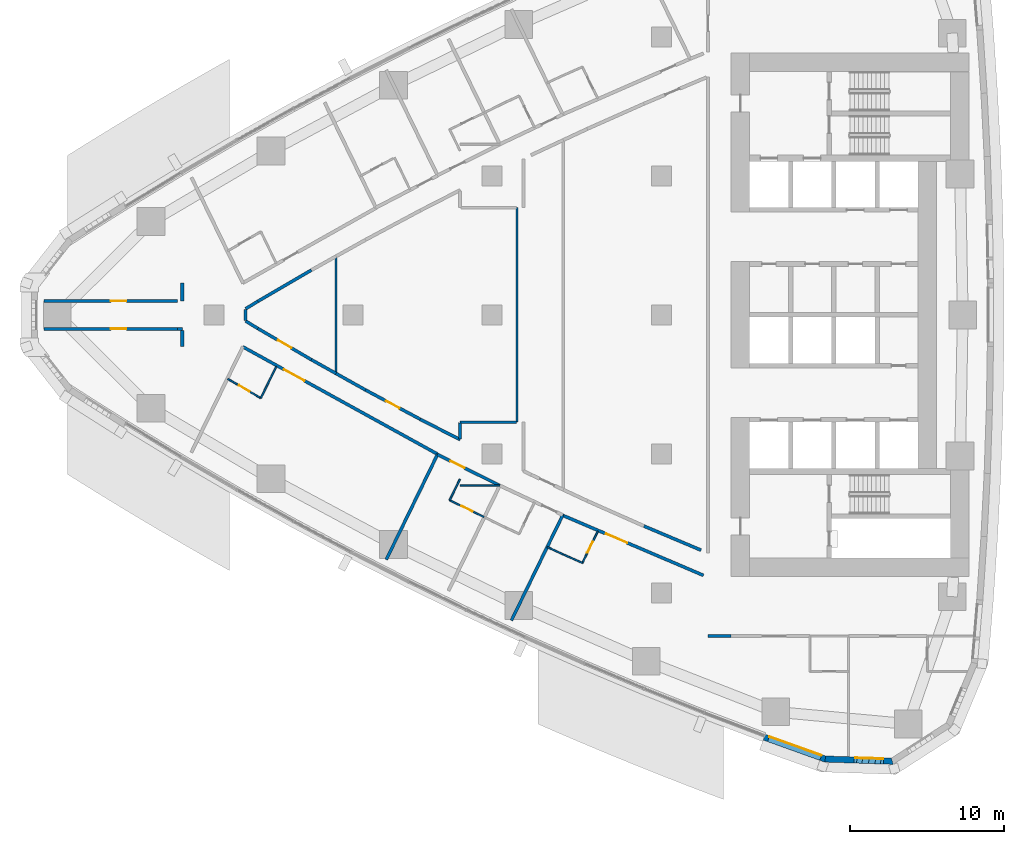
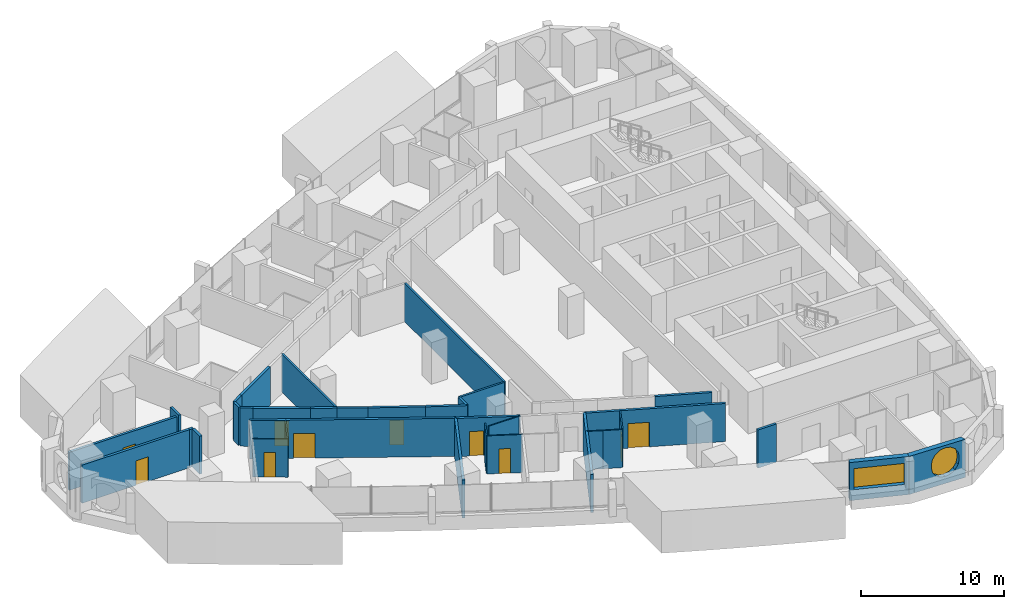
# One storey, part 9 of 19: 35 walls, 10 doors, 2 windows, 12 openings.
"""IFC4 building model written with IfcOpenShell, lengths in metres."""

import ifcopenshell
import ifcopenshell.guid

model = None  # the IFC model being written
_history = None  # IfcOwnerHistory: only IFC2X3 demands one
_inside = {}  # id of a spatial element -> (the spatial element, [elements in it])
_under = {}  # id of a project, library or spatial element -> (it, [spatial elements below it])
_declared = {}  # id of a project -> (the project, [libraries it declares])
_typed = {}  # id of a type object -> (the type object, [elements of that type])
_made_of = {}  # id of a material, layer set ... -> (it, [elements and type objects made of it])


def new_model(schema):
    """Start an empty IFC model of exactly this schema.

    Asked for "IFC4X3", IfcOpenShell would pick the latest addendum, in which some entities
    have other attributes; the version numbers below select the first issue.
    IFC2X3 requires an IfcOwnerHistory on every rooted entity: one is made here for all.
    """
    global model, _history
    if schema == "IFC4X3":
        model = ifcopenshell.file(schema_version=(4, 3, 0, 0))
    else:
        model = ifcopenshell.file(schema=schema)
    _inside.clear()
    _under.clear()
    _declared.clear()
    _typed.clear()
    _made_of.clear()
    _history = None
    if model.schema == "IFC2X3":
        org = make("IfcOrganization", Name="unknown")
        user = make(
            "IfcPersonAndOrganization",
            ThePerson=make("IfcPerson", FamilyName="unknown"),
            TheOrganization=org,
        )
        app = make(
            "IfcApplication",
            ApplicationDeveloper=org,
            Version="unknown",
            ApplicationFullName="unknown",
            ApplicationIdentifier="unknown",
        )
        _history = make(
            "IfcOwnerHistory",
            OwningUser=user,
            OwningApplication=app,
            ChangeAction="ADDED",
            CreationDate=0,
        )
    return model


def make(cls, **values):
    """One entity of the class cls with the attributes given. An attribute that is None is left unset."""
    return model.create_entity(
        cls, **{name: value for name, value in values.items() if value is not None}
    )


def rooted(cls, **values):
    """An entity with a GlobalId (a new one), such as an element, a storey or a relation."""
    return make(cls, GlobalId=ifcopenshell.guid.new(), OwnerHistory=_history, **values)


def si_unit(unit_type, name, prefix=None):
    """IfcSIUnit, for example si_unit("LENGTHUNIT", "METRE", prefix="MILLI")."""
    return make("IfcSIUnit", UnitType=unit_type, Prefix=prefix, Name=name)


def assignment(units):
    """IfcUnitAssignment: the units of a project."""
    return None if units is None else make("IfcUnitAssignment", Units=units)


def point(xyz):
    """IfcCartesianPoint."""
    return None if xyz is None else make("IfcCartesianPoint", Coordinates=xyz)


def direction(xyz):
    """IfcDirection."""
    return None if xyz is None else make("IfcDirection", DirectionRatios=xyz)


def frame(location, z_axis=None, x_axis=None):
    """IfcAxis2Placement3D, a coordinate frame: its origin and axes. An axis left out is left unset."""
    return make(
        "IfcAxis2Placement3D",
        Location=point(location),
        Axis=direction(z_axis),
        RefDirection=direction(x_axis),
    )


def frame_2d(location, x_axis=None):
    """IfcAxis2Placement2D, a coordinate frame in the plane: its origin and x axis."""
    return make(
        "IfcAxis2Placement2D", Location=point(location), RefDirection=direction(x_axis)
    )


def origin():
    """The frame at (0, 0, 0) with its axes left unset."""
    return frame((0.0, 0.0, 0.0))


def place(relative_to, where):
    """IfcLocalPlacement: puts the frame where relative to a parent placement (None: the world)."""
    return make(
        "IfcLocalPlacement", PlacementRelTo=relative_to, RelativePlacement=where
    )


def context(
    kind, dimensions, precision=None, world=None, true_north=None, identifier=None
):
    """IfcGeometricRepresentationContext, for example the 3D "Model" context."""
    return make(
        "IfcGeometricRepresentationContext",
        ContextIdentifier=identifier,
        ContextType=kind,
        CoordinateSpaceDimension=dimensions,
        Precision=precision,
        WorldCoordinateSystem=world,
        TrueNorth=true_north,
    )


def subcontext(parent, identifier, kind, view, scale=None):
    """IfcGeometricRepresentationSubContext, for example "Body" below "Model"."""
    return make(
        "IfcGeometricRepresentationSubContext",
        ContextIdentifier=identifier,
        ContextType=kind,
        ParentContext=parent,
        TargetScale=scale,
        TargetView=view,
    )


def project(units=None, contexts=None):
    """IfcProject with its units and contexts."""
    return rooted(
        "IfcProject",
        Name="project",
        RepresentationContexts=contexts,
        UnitsInContext=assignment(units),
    )


def spatial(cls, under=None, at=None, **own):
    """A site, building, storey or space (cls), placed at a placement, below another one or the project."""
    s = rooted(cls, ObjectPlacement=at, **own)
    if under is not None:
        _under.setdefault(under.id(), (under, []))[1].append(s)
    return s


def polyline(points):
    """IfcPolyline through the points."""
    return make("IfcPolyline", Points=[point(p) for p in points])


def profile(cls, at=None, kind="AREA", **sizes):
    """A parametric profile (cls). Its sizes go by their IFC names, for example OverallWidth=200.0."""
    return make(cls, ProfileType=kind, Position=at, **sizes)


def rectangle(**sizes):
    """IfcRectangleProfileDef."""
    return profile("IfcRectangleProfileDef", **sizes)


def outline(outer, holes=None, kind="AREA"):
    """IfcArbitraryClosedProfileDef: a profile drawn as a closed curve; with holes, ...WithVoids."""
    if holes is None:
        return make("IfcArbitraryClosedProfileDef", ProfileType=kind, OuterCurve=outer)
    return make(
        "IfcArbitraryProfileDefWithVoids",
        ProfileType=kind,
        OuterCurve=outer,
        InnerCurves=holes,
    )


def extrude(swept, where, along, depth):
    """IfcExtrudedAreaSolid: the profile swept, set in the frame where, extruded along a direction by depth."""
    return make(
        "IfcExtrudedAreaSolid",
        SweptArea=swept,
        Position=where,
        ExtrudedDirection=direction(along),
        Depth=depth,
    )


def shape(context_of_items, identifier, shape_type, items):
    """IfcShapeRepresentation: the items that make up one representation, for example the "Body"."""
    return make(
        "IfcShapeRepresentation",
        ContextOfItems=context_of_items,
        RepresentationIdentifier=identifier,
        RepresentationType=shape_type,
        Items=items,
    )


def material(Name=None, Category=None):
    """IfcMaterial."""
    return make("IfcMaterial", Name=Name, Category=Category)


def layer(
    of_material, thickness, ventilated=None, Name=None, Category=None, Priority=None
):
    """IfcMaterialLayer: one layer of a wall or slab, of a material (None: an air gap)."""
    return make(
        "IfcMaterialLayer",
        Material=of_material,
        LayerThickness=thickness,
        IsVentilated=ventilated,
        Name=Name,
        Category=Category,
        Priority=Priority,
    )


def layer_set(layers, Name=None):
    """IfcMaterialLayerSet."""
    return make("IfcMaterialLayerSet", MaterialLayers=layers, LayerSetName=Name)


def made_of(thing, what):
    """Note that an element or type object is made of a material, layer set ...; save() writes the relation."""
    if what is not None:
        _made_of.setdefault(what.id(), (what, []))[1].append(thing)
    return thing


def type_object(cls, material=None, **own):
    """A type object (cls), such as IfcWallType, which elements share."""
    return made_of(rooted(cls, **own), material)


def element(
    cls,
    number,
    at=None,
    inside=None,
    cuts=None,
    type_object=None,
    material=None,
    context=None,
    identifier="Body",
    shape_type=None,
    held_by="IfcProductDefinitionShape",
    body=None,
    shapes=None,
    **own,
):
    """One element of the class cls, such as IfcWall. Its Tag is "e" and its number.

    at: its placement. inside: the storey or other place that contains it. cuts: it is an
    opening in that element (IfcRelVoidsElement). A single representation is given by context,
    identifier, shape_type and body (its items); several are given by shapes. held_by: the class
    of the entity that holds the representations. save() writes the other relations.
    """
    e = rooted(cls, Tag="e%d" % number, ObjectPlacement=at, **own)
    if body is not None:
        shapes = [shape(context, identifier, shape_type, body)]
    if shapes is not None:
        e.Representation = make(held_by, Representations=shapes)
    if inside is not None:
        _inside.setdefault(inside.id(), (inside, []))[1].append(e)
    if cuts is not None:
        rooted(
            "IfcRelVoidsElement", RelatingBuildingElement=cuts, RelatedOpeningElement=e
        )
    if type_object is not None:
        _typed.setdefault(type_object.id(), (type_object, []))[1].append(e)
    return made_of(e, material)


def fill(opening, filler):
    """IfcRelFillsElement: the door or window that sits in an opening."""
    return rooted(
        "IfcRelFillsElement",
        RelatingOpeningElement=opening,
        RelatedBuildingElement=filler,
    )


def aggregate(whole, parts):
    """IfcRelAggregates: a whole, such as a stair, and the parts it consists of."""
    return rooted("IfcRelAggregates", RelatingObject=whole, RelatedObjects=parts)


def save(model, path):
    """Write the relations noted so far, then the file.

    IfcRelAggregates (storeys below a building ...), IfcRelContainedInSpatialStructure (elements
    in a storey), IfcRelDefinesByType, IfcRelAssociatesMaterial and IfcRelDeclares: one each for
    every whole, place, type object, material and project.
    """
    for whole, parts in _under.values():
        aggregate(whole, parts)
    for where, things in _inside.values():
        rooted(
            "IfcRelContainedInSpatialStructure",
            RelatedElements=things,
            RelatingStructure=where,
        )
    for kind, things in _typed.values():
        rooted("IfcRelDefinesByType", RelatedObjects=things, RelatingType=kind)
    for what, things in _made_of.values():
        rooted("IfcRelAssociatesMaterial", RelatedObjects=things, RelatingMaterial=what)
    for by, libraries in _declared.values():
        rooted("IfcRelDeclares", RelatingContext=by, RelatedDefinitions=libraries)
    model.write(path)


model = new_model("IFC4")

# Units and contexts
model_context = context("Model", 3, precision=1e-05, world=origin(), true_north=direction((0.0, 1.0)))
body_context = subcontext(model_context, "Body", "Model", "MODEL_VIEW")
ifc_project = project(units=[si_unit("LENGTHUNIT", "METRE"), si_unit("AREAUNIT", "SQUARE_METRE"), si_unit("VOLUMEUNIT", "CUBIC_METRE"), si_unit("PLANEANGLEUNIT", "RADIAN"), si_unit("MASSUNIT", "GRAM", prefix="KILO")], contexts=[model_context])

# Site, building, storey
site_placement = place(None, origin())
site = spatial("IfcSite", under=ifc_project, at=site_placement, CompositionType="ELEMENT")
building_placement = place(site_placement, origin())
building = spatial("IfcBuilding", under=site, at=building_placement, Name="Ostrand Prow Hotel Tower", CompositionType="ELEMENT")
storey_placement = place(building_placement, frame((0.0, 0.0, 43.14990234375)))
storey = spatial("IfcBuildingStorey", under=building, at=storey_placement, Name="L08", CompositionType="ELEMENT", Elevation=43.14990234375)

# Wall
ifc_material_1 = material(Name="Plasterboard partition")
ifc_layer_1 = layer(ifc_material_1, 0.10009765625)
ifc_layer_set_1 = layer_set([ifc_layer_1], Name="Plasterboard partition")
wall_type_1 = type_object("IfcWallType", Name="Partition 100 bathroom wall", PredefinedType="PARTITIONING", material=ifc_layer_set_1)
wall_1_placement = place(storey_placement, frame((20.035400390625, -3.338134765625, 0.0), z_axis=(0.0, 0.0, 1.0), x_axis=(-0.438122322582, -0.898915363344, 0.0)))
element("IfcWall", 1, at=wall_1_placement, inside=storey, type_object=wall_type_1, Name="BATHROOM WALL", PredefinedType="PARTITIONING", context=body_context, shape_type="SweptSolid", body=[
    extrude(rectangle(XDim=2.282958984375, YDim=0.10009765625, at=frame_2d((1.1416015625, 0.0))), origin(), (0.0, 0.0, 1.0), 3.25),
])

# Wall, opening, door
wall_2_placement = place(storey_placement, frame((19.034912109375, -5.390380859375, 0.0), z_axis=(0.0, 0.0, 1.0), x_axis=(-0.863707305865, 0.503993739837, 0.0)))
wall_2 = element("IfcWall", 2, at=wall_2_placement, inside=storey, type_object=wall_type_1, Name="BATHROOM WALL", PredefinedType="PARTITIONING", context=body_context, shape_type="SweptSolid", body=[
    extrude(rectangle(XDim=2.473876953125, YDim=0.10009765625, at=frame_2d((1.23681640625, 0.0))), origin(), (0.0, 0.0, 1.0), 3.25),
])
opening_1_placement = place(wall_2_placement, frame((0.85009765625, 0.0, 0.0)))
opening_1 = element("IfcOpeningElement", 3, at=opening_1_placement, cuts=wall_2, Name="Opening D2", PredefinedType="OPENING", context=body_context, shape_type="SweptSolid", body=[
    extrude(rectangle(XDim=0.800048828125, YDim=2.10009765625, at=frame_2d((0.39990234375, 1.050048828125))), frame((0.0, 0.06005859375, 0.0), z_axis=(0.0, -1.0, 0.0), x_axis=(1.0, 0.0, 0.0)), (0.0, 0.0, 1.0), 0.1201171875),
])
ifc_material_2 = material(Name="Timber door leaf", Category="wood")
door_type_1 = type_object("IfcDoorType", Name="Bathroom door 800", OperationType="SINGLE_SWING_LEFT", PredefinedType="DOOR", material=ifc_material_2)
door_1_placement = place(opening_1_placement, origin())
door_1 = element("IfcDoor", 4, at=door_1_placement, inside=storey, type_object=door_type_1, Name="DOOR", OperationType="SINGLE_SWING_LEFT", OverallHeight=2.10009765625, OverallWidth=0.800048828125, PredefinedType="DOOR", context=body_context, shape_type="SweptSolid", body=[
    extrude(rectangle(XDim=0.800048828125, YDim=2.10009765625, at=frame_2d((0.39990234375, 1.050048828125))), frame((0.0, 0.02490234375, 0.0), z_axis=(0.0, -1.0, 0.0), x_axis=(1.0, 0.0, 0.0)), (0.0, 0.0, 1.0), 0.050048828125),
])
fill(opening_1, door_1)

# Wall
wall_3_placement = place(storey_placement, frame((31.26708984375, -12.003173828125, 0.0), z_axis=(0.0, 0.0, 1.0), x_axis=(0.438136931394, 0.898908243008, 0.0)))
element("IfcWall", 5, at=wall_3_placement, inside=storey, type_object=wall_type_1, Name="BATHROOM WALL", PredefinedType="PARTITIONING", context=body_context, shape_type="SweptSolid", body=[
    extrude(rectangle(XDim=1.510009765625, YDim=0.10009765625, at=frame_2d((0.7548828125, 0.0))), origin(), (0.0, 0.0, 1.0), 3.25),
])

# Wall, opening, door
wall_4_placement = place(storey_placement, frame((33.51318359375, -13.10107421875, 0.0), z_axis=(0.0, 0.0, 1.0), x_axis=(-0.89845285455, 0.439070003702, 0.0)))
wall_4 = element("IfcWall", 6, at=wall_4_placement, inside=storey, type_object=wall_type_1, Name="BATHROOM WALL", PredefinedType="PARTITIONING", context=body_context, shape_type="SweptSolid", body=[
    extrude(rectangle(XDim=2.5, YDim=0.10009765625, at=frame_2d((1.25, 0.0))), origin(), (0.0, 0.0, 1.0), 3.25),
])
opening_2_placement = place(wall_4_placement, frame((0.85009765625, 0.0, 0.0)))
opening_2 = element("IfcOpeningElement", 7, at=opening_2_placement, cuts=wall_4, Name="Opening D2", PredefinedType="OPENING", context=body_context, shape_type="SweptSolid", body=[
    extrude(rectangle(XDim=0.800048828125, YDim=2.10009765625, at=frame_2d((0.39990234375, 1.050048828125))), frame((0.0, 0.06005859375, 0.0), z_axis=(0.0, -1.0, 0.0), x_axis=(1.0, 0.0, 0.0)), (0.0, 0.0, 1.0), 0.1201171875),
])
door_2_placement = place(opening_2_placement, origin())
door_2 = element("IfcDoor", 8, at=door_2_placement, inside=storey, type_object=door_type_1, Name="DOOR", OperationType="SINGLE_SWING_LEFT", OverallHeight=2.10009765625, OverallWidth=0.800048828125, PredefinedType="DOOR", context=body_context, shape_type="SweptSolid", body=[
    extrude(rectangle(XDim=0.800048828125, YDim=2.10009765625, at=frame_2d((0.39990234375, 1.050048828125))), frame((0.0, 0.02490234375, 0.0), z_axis=(0.0, -1.0, 0.0), x_axis=(1.0, 0.0, 0.0)), (0.0, 0.0, 1.0), 0.050048828125),
])
fill(opening_2, door_2)

wall_5_placement = place(storey_placement, frame((40.861328125, -14.0166015625, 0.0), z_axis=(0.0, 0.0, 1.0), x_axis=(-0.438233629628, -0.898861104878, 0.0)))
wall_5 = element("IfcWall", 9, at=wall_5_placement, inside=storey, type_object=wall_type_1, Name="BATHROOM WALL", PredefinedType="PARTITIONING", context=body_context, shape_type="SweptSolid", body=[
    extrude(rectangle(XDim=2.278564453125, YDim=0.10009765625, at=frame_2d((1.13916015625, 0.0))), origin(), (0.0, 0.0, 1.0), 3.25),
])
opening_3_placement = place(wall_5_placement, frame((0.75, 0.0, 0.0)))
opening_3 = element("IfcOpeningElement", 10, at=opening_3_placement, cuts=wall_5, Name="Opening D2", PredefinedType="OPENING", context=body_context, shape_type="SweptSolid", body=[
    extrude(rectangle(XDim=0.800048828125, YDim=2.10009765625, at=frame_2d((0.39990234375, 1.050048828125))), frame((0.0, 0.06005859375, 0.0), z_axis=(0.0, -1.0, 0.0), x_axis=(1.0, 0.0, 0.0)), (0.0, 0.0, 1.0), 0.1201171875),
])
door_3_placement = place(opening_3_placement, origin())
door_3 = element("IfcDoor", 11, at=door_3_placement, inside=storey, type_object=door_type_1, Name="DOOR", OperationType="SINGLE_SWING_LEFT", OverallHeight=2.10009765625, OverallWidth=0.800048828125, PredefinedType="DOOR", context=body_context, shape_type="SweptSolid", body=[
    extrude(rectangle(XDim=0.800048828125, YDim=2.10009765625, at=frame_2d((0.39990234375, 1.050048828125))), frame((0.0, 0.02490234375, 0.0), z_axis=(0.0, -1.0, 0.0), x_axis=(1.0, 0.0, 0.0)), (0.0, 0.0, 1.0), 0.050048828125),
])
fill(opening_3, door_3)

# Walls
wall_6_placement = place(storey_placement, frame((39.86279296875, -16.064697265625, 0.0), z_axis=(0.0, 0.0, 1.0), x_axis=(-0.913972512123, 0.405776104625, 0.0)))
element("IfcWall", 12, at=wall_6_placement, inside=storey, type_object=wall_type_1, Name="BATHROOM WALL", PredefinedType="PARTITIONING", context=body_context, shape_type="SweptSolid", body=[
    extrude(rectangle(XDim=1.37548828125, YDim=0.10009765625, at=frame_2d((0.687744140625, 0.0))), origin(), (0.0, 0.0, 1.0), 3.25),
])
wall_7_placement = place(storey_placement, frame((38.605712890625, -15.506591796875, 0.0), z_axis=(0.0, 0.0, 1.0), x_axis=(-0.90632717857, 0.422576673972, 0.0)))
element("IfcWall", 13, at=wall_7_placement, inside=storey, type_object=wall_type_1, Name="BATHROOM WALL", PredefinedType="PARTITIONING", context=body_context, shape_type="SweptSolid", body=[
    extrude(rectangle(XDim=1.12548828125, YDim=0.10009765625, at=frame_2d((0.562744140625, 0.0))), origin(), (0.0, 0.0, 1.0), 3.25),
])
wall_8_placement = place(storey_placement, frame((31.948974609375, -11.054931640625, 0.0), z_axis=(0.0, 0.0, 1.0), x_axis=(1.0, 0.0, 0.0)))
element("IfcWall", 14, at=wall_8_placement, inside=storey, type_object=wall_type_1, Name="BATHROOM WALL", PredefinedType="PARTITIONING", context=body_context, shape_type="SweptSolid", body=[
    extrude(rectangle(XDim=2.5615234375, YDim=0.10009765625, at=frame_2d((1.28076171875, 0.0))), origin(), (0.0, 0.0, 1.0), 3.25),
])
ifc_material_3 = material(Name="Plasterboard partition")
ifc_layer_2 = layer(ifc_material_3, 0.14990234375)
ifc_layer_set_2 = layer_set([ifc_layer_2], Name="Plasterboard partition")
wall_type_2 = type_object("IfcWallType", Name="Partition 150 room partition", PredefinedType="PARTITIONING", material=ifc_layer_set_2)
wall_9_placement = place(storey_placement, frame((23.90869140625, -3.7958984375, 0.0), z_axis=(0.0, 0.0, 1.0), x_axis=(0.0, 1.0, 0.0)))
element("IfcWall", 15, at=wall_9_placement, inside=storey, type_object=wall_type_2, Name="ROOM PARTITION", PredefinedType="PARTITIONING", context=body_context, shape_type="SweptSolid", body=[
    extrude(rectangle(XDim=7.591796875, YDim=0.14990234375, at=frame_2d((3.7958984375, 0.0))), origin(), (0.0, 0.0, 1.0), 3.25),
])
wall_10_placement = place(storey_placement, frame((35.626220703125, -6.949951171875, 0.0), z_axis=(0.0, 0.0, 1.0), x_axis=(0.0, 1.0, 0.0)))
element("IfcWall", 16, at=wall_10_placement, inside=storey, type_object=wall_type_2, Name="ROOM PARTITION", PredefinedType="PARTITIONING", context=body_context, shape_type="SweptSolid", body=[
    extrude(rectangle(XDim=13.89990234375, YDim=0.14990234375, at=frame_2d((6.949951171875, 0.0))), origin(), (0.0, 0.0, 1.0), 3.25),
])
wall_11_placement = place(storey_placement, frame((35.586181640625, -6.945068359375, 0.0), z_axis=(0.0, 0.0, 1.0), x_axis=(-0.999999997748, -6.7114094e-05, 0.0)))
element("IfcWall", 17, at=wall_11_placement, inside=storey, type_object=wall_type_2, Name="ROOM PARTITION", PredefinedType="PARTITIONING", context=body_context, shape_type="SweptSolid", body=[
    extrude(rectangle(XDim=3.6376953125, YDim=0.14990234375, at=frame_2d((1.81884765625, 0.0))), origin(), (0.0, 0.0, 1.0), 3.25),
])

# Wall, opening, door
ifc_material_4 = material(Name="Plasterboard partition")
ifc_layer_3 = layer(ifc_material_4, 0.199951171875)
ifc_layer_set_3 = layer_set([ifc_layer_3], Name="Plasterboard partition")
wall_type_3 = type_object("IfcWallType", Name="Partition 200 corridor wall", PredefinedType="PARTITIONING", material=ifc_layer_set_3)
wall_12_placement = place(storey_placement, frame((17.87353515625, -2.068115234375, 0.0), z_axis=(0.0, 0.0, 1.0), x_axis=(0.875757832755, -0.482750679305, 0.0)))
wall_12 = element("IfcWall", 18, at=wall_12_placement, inside=storey, type_object=wall_type_3, Name="CORRIDOR WALL", PredefinedType="PARTITIONING", context=body_context, shape_type="SweptSolid", body=[
    extrude(rectangle(XDim=14.404541015625, YDim=0.199951171875, at=frame_2d((7.2021484375, 0.0))), origin(), (0.0, 0.0, 1.0), 3.25),
])
opening_4_placement = place(wall_12_placement, frame((3.050048828125, 0.0, 0.0)))
opening_4 = element("IfcOpeningElement", 19, at=opening_4_placement, cuts=wall_12, Name="Opening D15", PredefinedType="OPENING", context=body_context, shape_type="SweptSolid", body=[
    extrude(rectangle(XDim=1.5, YDim=2.10009765625, at=frame_2d((0.75, 1.050048828125))), frame((0.0, 0.10986328125, 0.0), z_axis=(0.0, -1.0, 0.0), x_axis=(1.0, 0.0, 0.0)), (0.0, 0.0, 1.0), 0.219970703125),
])
ifc_material_5 = material(Name="Timber door leaf", Category="wood")
door_type_2 = type_object("IfcDoorType", Name="Double door 1500", OperationType="DOUBLE_DOOR_SINGLE_SWING", PredefinedType="DOOR", material=ifc_material_5)
door_4_placement = place(opening_4_placement, origin())
door_4 = element("IfcDoor", 20, at=door_4_placement, inside=storey, type_object=door_type_2, Name="DOOR", OperationType="DOUBLE_DOOR_SINGLE_SWING", OverallHeight=2.10009765625, OverallWidth=1.5, PredefinedType="DOOR", context=body_context, shape_type="SweptSolid", body=[
    extrude(rectangle(XDim=1.5, YDim=2.10009765625, at=frame_2d((0.75, 1.050048828125))), frame((0.0, 0.02490234375, 0.0), z_axis=(0.0, -1.0, 0.0), x_axis=(1.0, 0.0, 0.0)), (0.0, 0.0, 1.0), 0.050048828125),
])
fill(opening_4, door_4)

wall_13_placement = place(storey_placement, frame((30.479736328125, -9.039794921875, 0.0), z_axis=(0.0, 0.0, 1.0), x_axis=(0.894989913054, -0.446086376761, 0.0)))
wall_13 = element("IfcWall", 21, at=wall_13_placement, inside=storey, type_object=wall_type_3, Name="CORRIDOR WALL", PredefinedType="PARTITIONING", context=body_context, shape_type="SweptSolid", body=[
    extrude(rectangle(XDim=4.50634765625, YDim=0.199951171875, at=frame_2d((2.253173828125, 0.0))), origin(), (0.0, 0.0, 1.0), 3.25),
])
opening_5_placement = place(wall_13_placement, frame((0.949951171875, 0.0, 0.0)))
opening_5 = element("IfcOpeningElement", 22, at=opening_5_placement, cuts=wall_13, Name="Opening D1", PredefinedType="OPENING", context=body_context, shape_type="SweptSolid", body=[
    extrude(rectangle(XDim=1.0, YDim=2.10009765625, at=frame_2d((0.5, 1.050048828125))), frame((0.0, 0.10986328125, 0.0), z_axis=(0.0, -1.0, 0.0), x_axis=(1.0, 0.0, 0.0)), (0.0, 0.0, 1.0), 0.219970703125),
])
ifc_material_6 = material(Name="Timber door leaf", Category="wood")
door_type_3 = type_object("IfcDoorType", Name="Guest room door 1000", OperationType="SINGLE_SWING_LEFT", PredefinedType="DOOR", material=ifc_material_6)
door_5_placement = place(opening_5_placement, origin())
door_5 = element("IfcDoor", 23, at=door_5_placement, inside=storey, type_object=door_type_3, Name="DOOR", OperationType="SINGLE_SWING_LEFT", OverallHeight=2.10009765625, OverallWidth=1.0, PredefinedType="DOOR", context=body_context, shape_type="SweptSolid", body=[
    extrude(rectangle(XDim=1.0, YDim=2.10009765625, at=frame_2d((0.5, 1.050048828125))), frame((0.0, 0.02490234375, 0.0), z_axis=(0.0, -1.0, 0.0), x_axis=(1.0, 0.0, 0.0)), (0.0, 0.0, 1.0), 0.050048828125),
])
fill(opening_5, door_5)

wall_14_placement = place(storey_placement, frame((22.31201171875, -2.903076171875, 0.0), z_axis=(0.0, 0.0, 1.0), x_axis=(-0.863710538269, 0.503988200341, 0.0)))
wall_14 = element("IfcWall", 24, at=wall_14_placement, inside=storey, type_object=wall_type_3, Name="CORRIDOR WALL", PredefinedType="PARTITIONING", context=body_context, shape_type="SweptSolid", body=[
    extrude(rectangle(XDim=4.015869140625, YDim=0.199951171875, at=frame_2d((2.0078125, 0.0))), origin(), (0.0, 0.0, 1.0), 3.25),
])
opening_6_placement = place(wall_14_placement, frame((1.5078125, 0.0, 0.0)))
opening_6 = element("IfcOpeningElement", 25, at=opening_6_placement, cuts=wall_14, Name="Opening D1R", PredefinedType="OPENING", context=body_context, shape_type="SweptSolid", body=[
    extrude(rectangle(XDim=1.0, YDim=2.10009765625, at=frame_2d((0.5, 1.050048828125))), frame((0.0, 0.10986328125, 0.0), z_axis=(0.0, -1.0, 0.0), x_axis=(1.0, 0.0, 0.0)), (0.0, 0.0, 1.0), 0.219970703125),
])
ifc_material_7 = material(Name="Timber door leaf", Category="wood")
door_type_4 = type_object("IfcDoorType", Name="Guest room door 1000 right", OperationType="SINGLE_SWING_RIGHT", PredefinedType="DOOR", material=ifc_material_7)
door_6_placement = place(opening_6_placement, origin())
door_6 = element("IfcDoor", 26, at=door_6_placement, inside=storey, type_object=door_type_4, Name="DOOR", OperationType="SINGLE_SWING_RIGHT", OverallHeight=2.10009765625, OverallWidth=1.0, PredefinedType="DOOR", context=body_context, shape_type="SweptSolid", body=[
    extrude(rectangle(XDim=1.0, YDim=2.10009765625, at=frame_2d((0.5, 1.050048828125))), frame((0.0, 0.02490234375, 0.0), z_axis=(0.0, -1.0, 0.0), x_axis=(1.0, 0.0, 0.0)), (0.0, 0.0, 1.0), 0.050048828125),
])
fill(opening_6, door_6)

# Walls
for number, where, z_axis, x_axis, name in (
    (27, (18.843505859375, -0.879150390625, 0.0), (0.0, 0.0, 1.0), (-0.8542290073, 0.519896915828, 0.0), "CORRIDOR WALL"),
    (28, (18.050048828125, 0.396240234375, 0.0), (0.0, 0.0, 1.0), (0.8542290073, 0.519896915828, 0.0), "CORRIDOR WALL"),
):
    element("IfcWall", number, at=place(storey_placement, frame(where, z_axis=z_axis, x_axis=x_axis)), inside=storey, type_object=wall_type_3, Name=name, PredefinedType="PARTITIONING", context=body_context, shape_type="SweptSolid", body=[
        extrude(rectangle(XDim=0.928955078125, YDim=0.199951171875, at=frame_2d((0.46435546875, 0.0))), origin(), (0.0, 0.0, 1.0), 3.25),
    ])
wall_15_placement = place(storey_placement, frame((18.843505859375, 0.879150390625, 0.0), z_axis=(0.0, 0.0, 1.0), x_axis=(0.863710538269, 0.503988200341, 0.0)))
element("IfcWall", 29, at=wall_15_placement, inside=storey, type_object=wall_type_3, Name="CORRIDOR WALL", PredefinedType="PARTITIONING", context=body_context, shape_type="SweptSolid", body=[
    extrude(rectangle(XDim=4.015869140625, YDim=0.199951171875, at=frame_2d((2.0078125, 0.0))), origin(), (0.0, 0.0, 1.0), 3.25),
])
wall_16_placement = place(storey_placement, frame((23.90869140625, -3.7958984375, 0.0), z_axis=(0.0, 0.0, 1.0), x_axis=(-0.872813072418, 0.48805464921, 0.0)))
element("IfcWall", 30, at=wall_16_placement, inside=storey, type_object=wall_type_3, Name="CORRIDOR WALL", PredefinedType="PARTITIONING", context=body_context, shape_type="SweptSolid", body=[
    extrude(rectangle(XDim=1.829345703125, YDim=0.199951171875, at=frame_2d((0.91455078125, 0.0))), origin(), (0.0, 0.0, 1.0), 3.25),
])

# Wall, opening, door
wall_17_placement = place(storey_placement, frame((29.357421875, -6.758056640625, 0.0), z_axis=(0.0, 0.0, 1.0), x_axis=(-0.881655245922, 0.471894084874, 0.0)))
wall_17 = element("IfcWall", 31, at=wall_17_placement, inside=storey, type_object=wall_type_3, Name="CORRIDOR WALL", PredefinedType="PARTITIONING", context=body_context, shape_type="SweptSolid", body=[
    extrude(rectangle(XDim=4.015869140625, YDim=0.199951171875, at=frame_2d((2.0078125, 0.0))), origin(), (0.0, 0.0, 1.0), 3.25),
])
opening_7_placement = place(wall_17_placement, frame((1.5078125, 0.0, 0.0)))
opening_7 = element("IfcOpeningElement", 32, at=opening_7_placement, cuts=wall_17, Name="Opening D1", PredefinedType="OPENING", context=body_context, shape_type="SweptSolid", body=[
    extrude(rectangle(XDim=1.0, YDim=2.10009765625, at=frame_2d((0.5, 1.050048828125))), frame((0.0, 0.10986328125, 0.0), z_axis=(0.0, -1.0, 0.0), x_axis=(1.0, 0.0, 0.0)), (0.0, 0.0, 1.0), 0.219970703125),
])
door_7_placement = place(opening_7_placement, origin())
door_7 = element("IfcDoor", 33, at=door_7_placement, inside=storey, type_object=door_type_3, Name="DOOR", OperationType="SINGLE_SWING_LEFT", OverallHeight=2.10009765625, OverallWidth=1.0, PredefinedType="DOOR", context=body_context, shape_type="SweptSolid", body=[
    extrude(rectangle(XDim=1.0, YDim=2.10009765625, at=frame_2d((0.5, 1.050048828125))), frame((0.0, 0.02490234375, 0.0), z_axis=(0.0, -1.0, 0.0), x_axis=(1.0, 0.0, 0.0)), (0.0, 0.0, 1.0), 0.050048828125),
])
fill(opening_7, door_7)

# Walls
wall_18_placement = place(storey_placement, frame((31.949951171875, -8.084716796875, 0.0), z_axis=(0.0, 0.0, 1.0), x_axis=(-0.890213377055, 0.455543788579, 0.0)))
element("IfcWall", 34, at=wall_18_placement, inside=storey, type_object=wall_type_3, Name="CORRIDOR WALL", PredefinedType="PARTITIONING", context=body_context, shape_type="SweptSolid", body=[
    extrude(rectangle(XDim=2.912353515625, YDim=0.199951171875, at=frame_2d((1.4560546875, 0.0))), origin(), (0.0, 0.0, 1.0), 3.25),
])
wall_19_placement = place(storey_placement, frame((25.81689453125, -4.863037109375, 0.0), z_axis=(0.0, 0.0, 1.0), x_axis=(-0.872789592901, 0.48809663646, 0.0)))
element("IfcWall", 35, at=wall_19_placement, inside=storey, type_object=wall_type_3, Name="CORRIDOR WALL", PredefinedType="PARTITIONING", context=body_context, shape_type="SweptSolid", body=[
    extrude(rectangle(XDim=2.186279296875, YDim=0.199951171875, at=frame_2d((1.09326171875, 0.0))), origin(), (0.0, 0.0, 1.0), 3.25),
])
wall_20_placement = place(storey_placement, frame((47.549560546875, -15.239013671875, 0.0), z_axis=(0.0, 0.0, 1.0), x_axis=(-0.921269894054, 0.388923877269, 0.0)))
element("IfcWall", 36, at=wall_20_placement, inside=storey, type_object=wall_type_3, Name="CORRIDOR WALL", PredefinedType="PARTITIONING", context=body_context, shape_type="SweptSolid", body=[
    extrude(rectangle(XDim=4.015625, YDim=0.199951171875, at=frame_2d((2.0078125, 0.0))), origin(), (0.0, 0.0, 1.0), 3.25),
])

# Wall, opening, door
wall_21_placement = place(storey_placement, frame((4.977294921875, 0.89990234375, 0.0), z_axis=(0.0, 0.0, 1.0), x_axis=(1.0, 0.0, 0.0)))
wall_21 = element("IfcWall", 37, at=wall_21_placement, inside=storey, type_object=wall_type_3, Name="CORRIDOR WALL", PredefinedType="PARTITIONING", context=body_context, shape_type="SweptSolid", body=[
    extrude(rectangle(XDim=8.672607421875, YDim=0.199951171875, at=frame_2d((4.33642578125, 0.0))), origin(), (0.0, 0.0, 1.0), 3.25),
])
opening_8_placement = place(wall_21_placement, frame((4.344970703125, 0.0, 0.0)))
opening_8 = element("IfcOpeningElement", 38, at=opening_8_placement, cuts=wall_21, Name="Opening D1", PredefinedType="OPENING", context=body_context, shape_type="SweptSolid", body=[
    extrude(rectangle(XDim=1.0, YDim=2.10009765625, at=frame_2d((0.5, 1.050048828125))), frame((0.0, 0.10986328125, 0.0), z_axis=(0.0, -1.0, 0.0), x_axis=(1.0, 0.0, 0.0)), (0.0, 0.0, 1.0), 0.219970703125),
])
door_8_placement = place(opening_8_placement, origin())
door_8 = element("IfcDoor", 39, at=door_8_placement, inside=storey, type_object=door_type_3, Name="DOOR", OperationType="SINGLE_SWING_LEFT", OverallHeight=2.10009765625, OverallWidth=1.0, PredefinedType="DOOR", context=body_context, shape_type="SweptSolid", body=[
    extrude(rectangle(XDim=1.0, YDim=2.10009765625, at=frame_2d((0.5, 1.050048828125))), frame((0.0, 0.02490234375, 0.0), z_axis=(0.0, -1.0, 0.0), x_axis=(1.0, 0.0, 0.0)), (0.0, 0.0, 1.0), 0.050048828125),
])
fill(opening_8, door_8)

wall_22_placement = place(storey_placement, frame((4.977294921875, -0.89990234375, 0.0), z_axis=(0.0, 0.0, 1.0), x_axis=(1.0, 0.0, 0.0)))
wall_22 = element("IfcWall", 40, at=wall_22_placement, inside=storey, type_object=wall_type_3, Name="CORRIDOR WALL", PredefinedType="PARTITIONING", context=body_context, shape_type="SweptSolid", body=[
    extrude(rectangle(XDim=8.672607421875, YDim=0.199951171875, at=frame_2d((4.33642578125, 0.0))), origin(), (0.0, 0.0, 1.0), 3.25),
])
opening_9_placement = place(wall_22_placement, frame((4.344970703125, 0.0, 0.0)))
opening_9 = element("IfcOpeningElement", 41, at=opening_9_placement, cuts=wall_22, Name="Opening D1R", PredefinedType="OPENING", context=body_context, shape_type="SweptSolid", body=[
    extrude(rectangle(XDim=1.0, YDim=2.10009765625, at=frame_2d((0.5, 1.050048828125))), frame((0.0, 0.10986328125, 0.0), z_axis=(0.0, -1.0, 0.0), x_axis=(1.0, 0.0, 0.0)), (0.0, 0.0, 1.0), 0.219970703125),
])
door_9_placement = place(opening_9_placement, origin())
door_9 = element("IfcDoor", 42, at=door_9_placement, inside=storey, type_object=door_type_4, Name="DOOR", OperationType="SINGLE_SWING_RIGHT", OverallHeight=2.10009765625, OverallWidth=1.0, PredefinedType="DOOR", context=body_context, shape_type="SweptSolid", body=[
    extrude(rectangle(XDim=1.0, YDim=2.10009765625, at=frame_2d((0.5, 1.050048828125))), frame((0.0, 0.02490234375, 0.0), z_axis=(0.0, -1.0, 0.0), x_axis=(1.0, 0.0, 0.0)), (0.0, 0.0, 1.0), 0.050048828125),
])
fill(opening_9, door_9)

wall_23_placement = place(storey_placement, frame((38.584716796875, -12.981201171875, 0.0), z_axis=(0.0, 0.0, 1.0), x_axis=(0.919847962482, -0.392275064103, 0.0)))
wall_23 = element("IfcWall", 43, at=wall_23_placement, inside=storey, type_object=wall_type_3, Name="CORRIDOR WALL", PredefinedType="PARTITIONING", context=body_context, shape_type="SweptSolid", body=[
    extrude(rectangle(XDim=9.913818359375, YDim=0.199951171875, at=frame_2d((4.95703125, 0.0))), origin(), (0.0, 0.0, 1.0), 3.25),
])
opening_10_placement = place(wall_23_placement, frame((3.050048828125, 0.0, 0.0)))
opening_10 = element("IfcOpeningElement", 44, at=opening_10_placement, cuts=wall_23, Name="Opening D15", PredefinedType="OPENING", context=body_context, shape_type="SweptSolid", body=[
    extrude(rectangle(XDim=1.5, YDim=2.10009765625, at=frame_2d((0.75, 1.050048828125))), frame((0.0, 0.10986328125, 0.0), z_axis=(0.0, -1.0, 0.0), x_axis=(1.0, 0.0, 0.0)), (0.0, 0.0, 1.0), 0.219970703125),
])
door_10_placement = place(opening_10_placement, origin())
door_10 = element("IfcDoor", 45, at=door_10_placement, inside=storey, type_object=door_type_2, Name="DOOR", OperationType="DOUBLE_DOOR_SINGLE_SWING", OverallHeight=2.10009765625, OverallWidth=1.5, PredefinedType="DOOR", context=body_context, shape_type="SweptSolid", body=[
    extrude(rectangle(XDim=1.5, YDim=2.10009765625, at=frame_2d((0.75, 1.050048828125))), frame((0.0, 0.02490234375, 0.0), z_axis=(0.0, -1.0, 0.0), x_axis=(1.0, 0.0, 0.0)), (0.0, 0.0, 1.0), 0.050048828125),
])
fill(opening_10, door_10)

# Walls
wall_24_placement = place(storey_placement, frame((18.054931640625, -0.356689453125, 0.0), z_axis=(0.0, 0.0, 1.0), x_axis=(0.0, 1.0, 0.0)))
element("IfcWall", 46, at=wall_24_placement, inside=storey, type_object=wall_type_3, Name="CORRIDOR WALL", PredefinedType="PARTITIONING", context=body_context, shape_type="SweptSolid", body=[
    extrude(rectangle(XDim=0.71337890625, YDim=0.199951171875, at=frame_2d((0.356689453125, 0.0))), origin(), (0.0, 0.0, 1.0), 3.25),
])
wall_25_placement = place(storey_placement, frame((31.948486328125, -6.985107421875, 0.0), z_axis=(0.0, 0.0, 1.0), x_axis=(-0.003248242724, -0.999994724446, 0.0)))
element("IfcWall", 47, at=wall_25_placement, inside=storey, type_object=wall_type_3, Name="CORRIDOR WALL", PredefinedType="PARTITIONING", context=body_context, shape_type="SweptSolid", body=[
    extrude(rectangle(XDim=1.05224609375, YDim=0.199951171875, at=frame_2d((0.526123046875, 0.0))), origin(), (0.0, 0.0, 1.0), 3.25),
])
wall_26_placement = place(storey_placement, frame((13.945556640625, 2.052490234375, 0.0), z_axis=(0.0, 0.0, 1.0), x_axis=(-0.000423818568, -0.999999910189, 0.0)))
element("IfcWall", 48, at=wall_26_placement, inside=storey, type_object=wall_type_3, Name="CORRIDOR WALL", PredefinedType="PARTITIONING", context=body_context, shape_type="SweptSolid", body=[
    extrude(rectangle(XDim=1.152099609375, YDim=0.199951171875, at=frame_2d((0.576171875, 0.0))), origin(), (0.0, 0.0, 1.0), 3.25),
])
wall_27_placement = place(storey_placement, frame((13.64990234375, -0.89990234375, 0.0), z_axis=(0.0, 0.0, 1.0), x_axis=(0.99999876, -0.001574801197, 0.0)))
element("IfcWall", 49, at=wall_27_placement, inside=storey, type_object=wall_type_3, Name="CORRIDOR WALL", PredefinedType="PARTITIONING", context=body_context, shape_type="SweptSolid", body=[
    extrude(rectangle(XDim=0.31005859375, YDim=0.199951171875, at=frame_2d((0.155029296875, 0.0))), origin(), (0.0, 0.0, 1.0), 3.25),
])
wall_28_placement = place(storey_placement, frame((13.945068359375, -1.0205078125, 0.0), z_axis=(0.0, 0.0, 1.0), x_axis=(0.000473148752, -0.999999888065, 0.0)))
element("IfcWall", 50, at=wall_28_placement, inside=storey, type_object=wall_type_3, Name="CORRIDOR WALL", PredefinedType="PARTITIONING", context=body_context, shape_type="SweptSolid", body=[
    extrude(rectangle(XDim=1.031982421875, YDim=0.199951171875, at=frame_2d((0.51611328125, 0.0))), origin(), (0.0, 0.0, 1.0), 3.25),
])
wall_29_placement = place(storey_placement, frame((47.995361328125, -20.802001953125, 0.0), z_axis=(0.0, 0.0, 1.0), x_axis=(0.999998104399, -0.001947099992, 0.0)))
element("IfcWall", 51, at=wall_29_placement, inside=storey, type_object=wall_type_3, Name="CORRIDOR WALL", PredefinedType="PARTITIONING", context=body_context, shape_type="SweptSolid", body=[
    extrude(rectangle(XDim=1.504638671875, YDim=0.199951171875, at=frame_2d((0.75244140625, 0.0))), origin(), (0.0, 0.0, 1.0), 3.25),
])
ifc_material_8 = material(Name="Plasterboard partition")
ifc_layer_4 = layer(ifc_material_8, 0.199951171875)
ifc_layer_set_4 = layer_set([ifc_layer_4], Name="Plasterboard partition")
wall_type_4 = type_object("IfcWallType", Name="Partition 200 key partition", PredefinedType="PARTITIONING", material=ifc_layer_set_4)
wall_30_placement = place(storey_placement, frame((27.157470703125, -15.8544921875, 0.0), z_axis=(0.0, 0.0, 1.0), x_axis=(0.43822365664, 0.898865967072, 0.0)))
element("IfcWall", 52, at=wall_30_placement, inside=storey, type_object=wall_type_4, Name="KEY PARTITION", PredefinedType="PARTITIONING", context=body_context, shape_type="SweptSolid", body=[
    extrude(rectangle(XDim=7.601318359375, YDim=0.199951171875, at=frame_2d((3.80078125, 0.0))), origin(), (0.0, 0.0, 1.0), 3.25),
])
wall_31_placement = place(storey_placement, frame((35.2626953125, -19.7958984375, 0.0), z_axis=(0.0, 0.0, 1.0), x_axis=(0.438197705697, 0.898878618459, 0.0)))
element("IfcWall", 53, at=wall_31_placement, inside=storey, type_object=wall_type_4, Name="KEY PARTITION", PredefinedType="PARTITIONING", context=body_context, shape_type="SweptSolid", body=[
    extrude(rectangle(XDim=7.60107421875, YDim=0.199951171875, at=frame_2d((3.800537109375, 0.0))), origin(), (0.0, 0.0, 1.0), 3.25),
])

# Wall, opening, window
ifc_material_9 = material(Name="Precast concrete C40/50", Category="concrete")
ifc_layer_5 = layer(ifc_material_9, 0.39990234375)
ifc_layer_set_5 = layer_set([ifc_layer_5], Name="Precast concrete C40/50")
wall_type_5 = type_object("IfcWallType", Name="Stone-faced precast wall 400 mm", PredefinedType="NOTDEFINED", material=ifc_layer_set_5)
wall_32_placement = place(storey_placement, frame((51.639892578125, -27.3515625, 0.0), z_axis=(0.0, 0.0, 1.0), x_axis=(0.941339752885, -0.337460323057, 0.0)))
wall_32 = element("IfcWall", 54, at=wall_32_placement, inside=storey, type_object=wall_type_5, Name="Stone-faced wall back 1", PredefinedType="NOTDEFINED", context=body_context, shape_type="SweptSolid", body=[
    extrude(outline(polyline([(0.0, -0.199951171875), (4.2275390625, -0.199951171875), (4.16455078125, 0.199951171875), (0.0, 0.199951171875), (0.0, -0.199951171875)])), origin(), (0.0, 0.0, 1.0), 3.25),
])
opening_11_placement = place(wall_32_placement, frame((0.298095703125, 0.0, 0.89990234375)))
opening_11 = element("IfcOpeningElement", 55, at=opening_11_placement, cuts=wall_32, Name="Opening WS3-36", PredefinedType="OPENING", context=body_context, shape_type="SweptSolid", body=[
    extrude(rectangle(XDim=3.60009765625, YDim=1.800048828125, at=frame_2d((1.800048828125, 0.89990234375))), frame((0.0, 0.2099609375, 0.0), z_axis=(0.0, -1.0, 0.0), x_axis=(1.0, 0.0, 0.0)), (0.0, 0.0, 1.0), 0.419921875),
])
ifc_material_10 = material(Name="Insulated glass in bronze frame", Category="glass")
window_type_1 = type_object("IfcWindowType", Name="Strip window 3600x1800", PartitioningType="SINGLE_PANEL", PredefinedType="WINDOW", material=ifc_material_10)
window_1_placement = place(opening_11_placement, origin())
window_1 = element("IfcWindow", 56, at=window_1_placement, inside=storey, type_object=window_type_1, Name="Window back 1.1", OverallHeight=1.800048828125, OverallWidth=3.60009765625, PartitioningType="SINGLE_PANEL", PredefinedType="WINDOW", context=body_context, shape_type="SweptSolid", body=[
    extrude(rectangle(XDim=3.60009765625, YDim=1.800048828125, at=frame_2d((1.800048828125, 0.89990234375))), frame((0.0, 0.169921875, 0.0), z_axis=(0.0, -1.0, 0.0), x_axis=(1.0, 0.0, 0.0)), (0.0, 0.0, 1.0), 0.06005859375),
])
fill(opening_11, window_1)

wall_33_placement = place(storey_placement, frame((55.58984375, -28.767578125, 0.0), z_axis=(0.0, 0.0, 1.0), x_axis=(0.999463576228, -0.032749958686, 0.0)))
wall_33 = element("IfcWall", 57, at=wall_33_placement, inside=storey, type_object=wall_type_5, Name="Stone-faced wall back 2", PredefinedType="NOTDEFINED", context=body_context, shape_type="SweptSolid", body=[
    extrude(outline(polyline([(-0.031494140625, -0.199951171875), (4.40869140625, -0.199951171875), (4.28369140625, 0.199951171875), (0.031494140625, 0.199951171875), (-0.031494140625, -0.199951171875)])), origin(), (0.0, 0.0, 1.0), 3.25),
])
opening_12_placement = place(wall_33_placement, frame((1.724365234375, 0.0, 0.60009765625)))
opening_12 = element("IfcOpeningElement", 58, at=opening_12_placement, cuts=wall_33, Name="Opening WP1", PredefinedType="OPENING", context=body_context, shape_type="SweptSolid", body=[
    extrude(outline(polyline([(0.0, 1.35009765625), (0.083740234375, 1.77099609375), (0.322265625, 2.127685546875), (0.678955078125, 2.3662109375), (1.10009765625, 2.449951171875), (1.52099609375, 2.3662109375), (1.877685546875, 2.127685546875), (2.1162109375, 1.77099609375), (2.199951171875, 1.35009765625), (2.199951171875, 1.10009765625), (2.1162109375, 0.678955078125), (1.877685546875, 0.322265625), (1.52099609375, 0.083740234375), (1.10009765625, 0.0), (0.678955078125, 0.083740234375), (0.322265625, 0.322265625), (0.083740234375, 0.678955078125), (0.0, 1.099853515625), (0.0, 1.35009765625)])), frame((0.0, 0.2099609375, 0.0), z_axis=(0.0, -1.0, 0.0), x_axis=(1.0, 0.0, 0.0)), (0.0, 0.0, 1.0), 0.419921875),
])
ifc_material_11 = material(Name="Insulated glass in bronze frame", Category="glass")
window_type_2 = type_object("IfcWindowType", Name="Round-ended prow window 2200x2450", PartitioningType="SINGLE_PANEL", PredefinedType="WINDOW", material=ifc_material_11)
window_2_placement = place(opening_12_placement, origin())
window_2 = element("IfcWindow", 59, at=window_2_placement, inside=storey, type_object=window_type_2, Name="Window back 2.1", OverallHeight=2.449951171875, OverallWidth=2.199951171875, PartitioningType="SINGLE_PANEL", PredefinedType="WINDOW", context=body_context, shape_type="SweptSolid", body=[
    extrude(outline(polyline([(0.0, 1.35009765625), (0.083740234375, 1.77099609375), (0.322265625, 2.127685546875), (0.678955078125, 2.3662109375), (1.10009765625, 2.449951171875), (1.52099609375, 2.3662109375), (1.877685546875, 2.127685546875), (2.1162109375, 1.77099609375), (2.199951171875, 1.35009765625), (2.199951171875, 1.10009765625), (2.1162109375, 0.678955078125), (1.877685546875, 0.322265625), (1.52099609375, 0.083740234375), (1.10009765625, 0.0), (0.678955078125, 0.083740234375), (0.322265625, 0.322265625), (0.083740234375, 0.678955078125), (0.0, 1.099853515625), (0.0, 1.35009765625)])), frame((0.0, 0.169921875, 0.0), z_axis=(0.0, -1.0, 0.0), x_axis=(1.0, 0.0, 0.0)), (0.0, 0.0, 1.0), 0.06005859375),
])
fill(opening_12, window_2)

save(model, "model.ifc")
